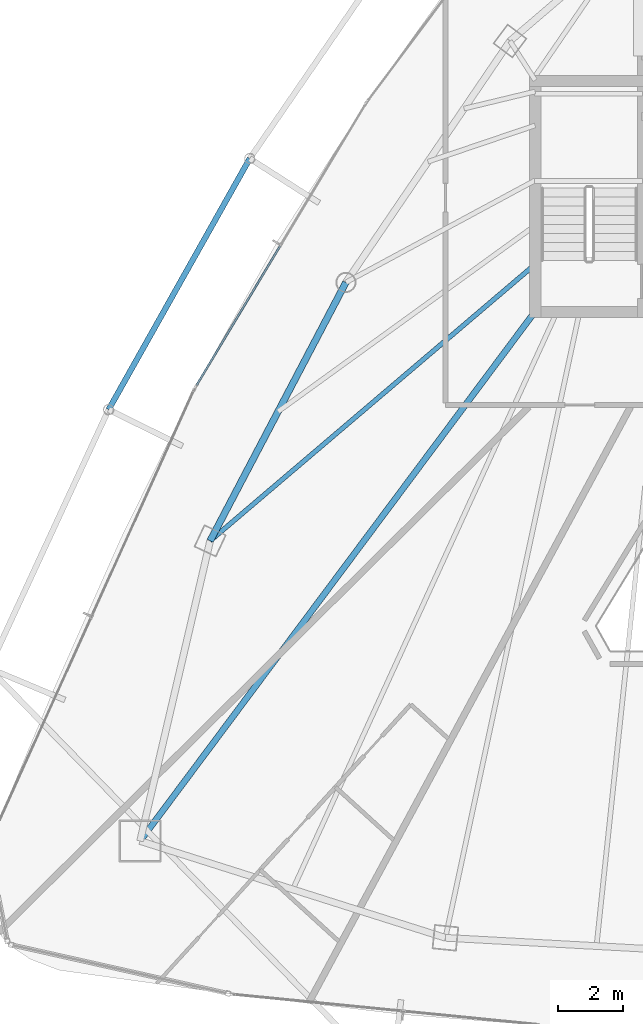
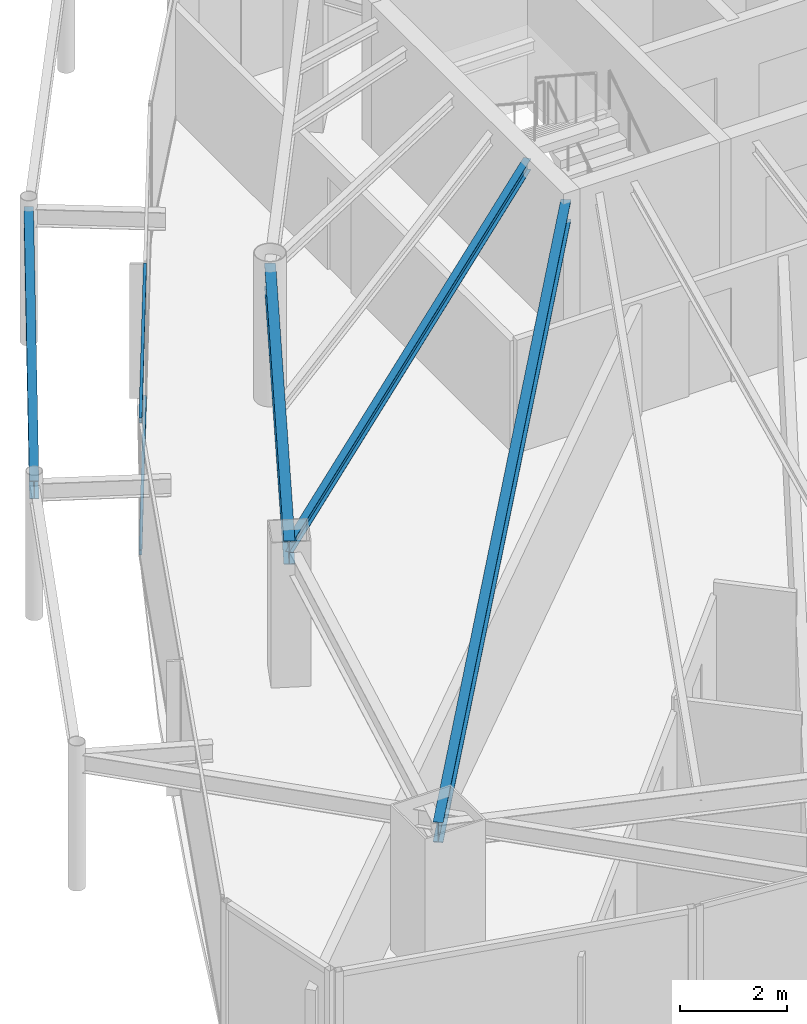
# One storey, part 12 of 33: 4 beams, 2 members, 1 element without a shape of its own.
"""IFC4 building model written with IfcOpenShell, lengths in metres."""

from ifc_helpers import new_model, si_unit, direction, frame, origin, origin_2d, place, context, subcontext, project, spatial, hollow_rectangle, i_section, extrude, material, layer, layer_set, material_profile, profile_set, type_object, element, aggregate, save


model = new_model("IFC4")

# Units and contexts
model_context = context("Model", 3, precision=1e-05, world=origin(), true_north=direction((0.0, 1.0)))
body_context = subcontext(model_context, "Body", "Model", "MODEL_VIEW")
ifc_project = project(units=[si_unit("LENGTHUNIT", "METRE"), si_unit("AREAUNIT", "SQUARE_METRE"), si_unit("VOLUMEUNIT", "CUBIC_METRE"), si_unit("PLANEANGLEUNIT", "RADIAN"), si_unit("MASSUNIT", "GRAM", prefix="KILO")], contexts=[model_context])

# Site, building, storey
site_placement = place(None, origin())
site = spatial("IfcSite", under=ifc_project, at=site_placement, CompositionType="ELEMENT")
building_placement = place(site_placement, origin())
building = spatial("IfcBuilding", under=site, at=building_placement, Name="Orvanel Arch Residences", CompositionType="ELEMENT")
storey_placement = place(building_placement, frame((0.0, 0.0, 196.39990234375)))
storey = spatial("IfcBuildingStorey", under=building, at=storey_placement, Name="L55", CompositionType="ELEMENT", Elevation=196.39990234375)

# Beams
ifc_material_1 = material(Name="Structural steel AS/NZS 3679.1 Grade 300 (300 MPa)", Category="steel")
ifc_material_profile_1 = material_profile(ifc_material_1, i_section(OverallWidth=0.19091796875, OverallDepth=0.4599609375, WebThickness=0.010009765625, FlangeThickness=0.01611328125, at=origin_2d()), Name="460UB82.1")
ifc_profile_set_1 = profile_set([ifc_material_profile_1], Name="Structural steel AS/NZS 3679.1 Grade 300 (300 MPa)")
beam_type_1 = type_object("IfcBeamType", Name="BG-460UB", PredefinedType="BEAM", material=ifc_profile_set_1)
beam_1_placement = place(storey_placement, frame((26.375, 26.675048828125, 2.830078125), z_axis=(-0.597893733742, -0.801575375839, 0.0), x_axis=(0.801575375839, -0.597893733742, 0.0)))
element("IfcBeam", 1, at=beam_1_placement, inside=storey, type_object=beam_type_1, Name="L55 South-West Radial Girder", PredefinedType="BEAM", context=body_context, shape_type="SweptSolid", body=[
    extrude(i_section(OverallWidth=0.19091796875, OverallDepth=0.4599609375, WebThickness=0.010009765625, FlangeThickness=0.01611328125, at=origin_2d()), origin(), (0.0, 0.0, 1.0), 20.36474609375),
])
ifc_material_profile_2 = material_profile(ifc_material_1, i_section(OverallWidth=0.14599609375, OverallDepth=0.251953125, WebThickness=0.006103515625, FlangeThickness=0.008544921875, at=origin_2d()), Name="250UB31.4")
ifc_profile_set_2 = profile_set([ifc_material_profile_2], Name="Structural steel AS/NZS 3679.1 Grade 300 (300 MPa)")
beam_type_2 = type_object("IfcBeamType", Name="BJ-250UB", PredefinedType="JOIST", material=ifc_profile_set_2)
beam_2_placement = place(storey_placement, frame((26.425048828125, 28.199951171875, 2.93408203125), z_axis=(-0.761622669031, -0.64802076357, 0.0), x_axis=(0.64802076357, -0.761622669031, 0.0)))
element("IfcBeam", 2, at=beam_2_placement, inside=storey, type_object=beam_type_2, Name="L55 W Wing Floor Joist", PredefinedType="JOIST", context=body_context, shape_type="SweptSolid", body=[
    extrude(i_section(OverallWidth=0.14599609375, OverallDepth=0.251953125, WebThickness=0.006103515625, FlangeThickness=0.008544921875, at=origin_2d()), origin(), (0.0, 0.0, 1.0), 13.2060546875),
])
ifc_material_profile_3 = material_profile(ifc_material_1, i_section(OverallWidth=0.177978515625, OverallDepth=0.406005859375, WebThickness=0.0078125, FlangeThickness=0.0126953125, at=origin_2d()), Name="410UB59.7")
ifc_profile_set_3 = profile_set([ifc_material_profile_3], Name="Structural steel AS/NZS 3679.1 Grade 300 (300 MPa)")
beam_type_3 = type_object("IfcBeamType", Name="OB-410UB-EXT", PredefinedType="SPANDREL", material=ifc_profile_set_3)
beam_3_placement = place(storey_placement, frame((17.593017578125, 31.47509765625, 2.857177734375), z_axis=(-0.490007708423, -0.871718099896, 0.0), x_axis=(0.871718099896, -0.490007708423, 0.0)))
element("IfcBeam", 3, at=beam_3_placement, inside=storey, type_object=beam_type_3, Name="L55 Outer Perimeter Floor Ring Beam 02", PredefinedType="SPANDREL", context=body_context, shape_type="SweptSolid", body=[
    extrude(i_section(OverallWidth=0.177978515625, OverallDepth=0.406005859375, WebThickness=0.0078125, FlangeThickness=0.0126953125, at=origin_2d()), origin(), (0.0, 0.0, 1.0), 8.916015625),
])
ifc_material_profile_4 = material_profile(ifc_material_1, i_section(OverallWidth=0.208984375, OverallDepth=0.532958984375, WebThickness=0.01025390625, FlangeThickness=0.015625, at=origin_2d()), Name="530UB92.4")
ifc_profile_set_4 = profile_set([ifc_material_profile_4], Name="Structural steel AS/NZS 3679.1 Grade 300 (300 MPa)")
beam_type_4 = type_object("IfcBeamType", Name="SP-530UB", PredefinedType="SPANDREL", material=ifc_profile_set_4)
beam_4_placement = place(storey_placement, frame((20.569091796875, 27.64111328125, 2.794189453125), z_axis=(-0.465064762793, -0.885276660942, 0.0), x_axis=(0.885276660942, -0.465064762793, 0.0)))
element("IfcBeam", 4, at=beam_4_placement, inside=storey, type_object=beam_type_4, Name="L55 Perimeter Spandrel Beam 12", PredefinedType="SPANDREL", context=body_context, shape_type="SweptSolid", body=[
    extrude(i_section(OverallWidth=0.208984375, OverallDepth=0.532958984375, WebThickness=0.01025390625, FlangeThickness=0.015625, at=origin_2d()), origin(), (0.0, 0.0, 1.0), 9.03564453125),
])

# Curtain wall, members
ifc_material_2 = material(Name="Bronze-anodised aluminium AA6063-T6", Category="aluminium")
ifc_layer = layer(ifc_material_2, 0.175048828125)
ifc_layer_set = layer_set([ifc_layer], Name="Bronze-anodised aluminium AA6063-T6")
curtain_wall_type = type_object("IfcCurtainWallType", Name="CW4-HI-SYS", PredefinedType="NOTDEFINED", material=ifc_layer_set)
curtain_wall_placement = place(storey_placement, origin())
curtain_wall = element("IfcCurtainWall", 5, at=curtain_wall_placement, inside=storey, type_object=curtain_wall_type, Name="L55 CW4-HI-SYS Unitised Curtain Wall", PredefinedType="NOTDEFINED")
ifc_material_profile_5 = material_profile(ifc_material_2, hollow_rectangle(XDim=0.06005859375, YDim=0.1201171875, WallThickness=0.00341796875, at=origin_2d()), Name="ALU120x60x3.5")
ifc_profile_set_5 = profile_set([ifc_material_profile_5], Name="Bronze-anodised aluminium AA6063-T6")
member_type = type_object("IfcMemberType", Name="TRN-120x60", PredefinedType="USERDEFINED", material=ifc_profile_set_5)
member_1_placement = place(storey_placement, frame((18.53271484375, 28.770751953125, 0.030029296875), z_axis=(-0.514495755428, -0.857492925713, 0.0), x_axis=(0.857492925713, -0.514495755428, 0.0)))
member_1 = element("IfcMember", 6, at=member_1_placement, type_object=member_type, Name="CW-S4 transom 2.1", ObjectType="TRANSOM", PredefinedType="USERDEFINED", context=body_context, shape_type="SweptSolid", body=[
    extrude(hollow_rectangle(XDim=0.06005859375, YDim=0.1201171875, WallThickness=0.00341796875, at=origin_2d()), origin(), (0.0, 0.0, 1.0), 5.031005859375),
])
member_2_placement = place(storey_placement, frame((18.53271484375, 28.770751953125, 3.030029296875), z_axis=(-0.514495755428, -0.857492925713, 0.0), x_axis=(0.857492925713, -0.514495755428, 0.0)))
member_2 = element("IfcMember", 7, at=member_2_placement, type_object=member_type, Name="CW-S4 transom 2.2", ObjectType="TRANSOM", PredefinedType="USERDEFINED", context=body_context, shape_type="SweptSolid", body=[
    extrude(hollow_rectangle(XDim=0.06005859375, YDim=0.1201171875, WallThickness=0.00341796875, at=origin_2d()), origin(), (0.0, 0.0, 1.0), 5.031005859375),
])
aggregate(curtain_wall, [member_1, member_2])

save(model, "model.ifc")
